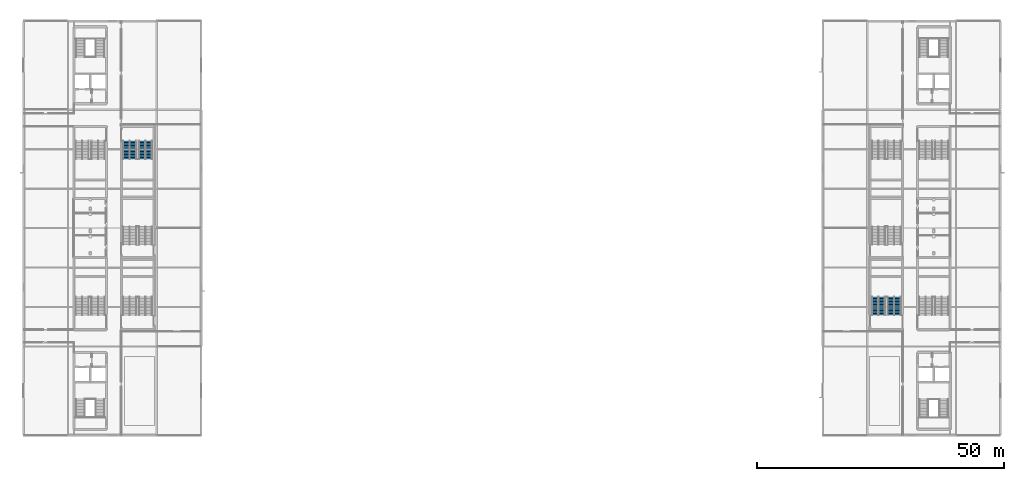
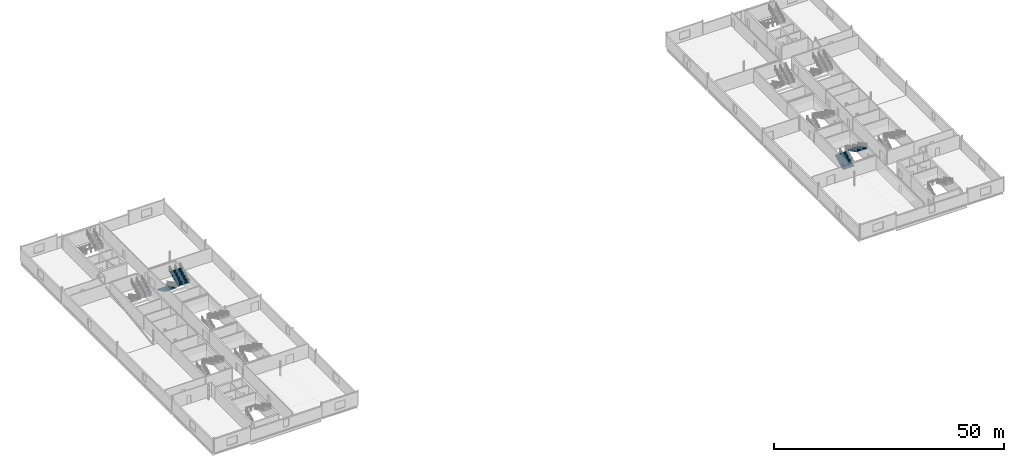
# One storey, part 28 of 35: 4 stair flights, 2 elements without a shape of their own.
"""IFC4 building model written with IfcOpenShell, lengths in metres."""

from ifc_helpers import new_model, si_unit, direction, frame, origin, place, context, subcontext, project, spatial, polygons, material, type_object, element, aggregate, save


model = new_model("IFC4")

# Units and contexts
model_context = context("Model", 3, precision=1e-05, world=origin(), true_north=direction((0.0, 1.0)))
body_context = subcontext(model_context, "Body", "Model", "MODEL_VIEW")
ifc_project = project(units=[si_unit("LENGTHUNIT", "METRE"), si_unit("AREAUNIT", "SQUARE_METRE"), si_unit("VOLUMEUNIT", "CUBIC_METRE"), si_unit("PLANEANGLEUNIT", "RADIAN"), si_unit("MASSUNIT", "GRAM", prefix="KILO")], contexts=[model_context])

# Site, building, storey
site_placement = place(None, origin())
site = spatial("IfcSite", under=ifc_project, at=site_placement, CompositionType="ELEMENT")
building_placement = place(site_placement, origin())
building = spatial("IfcBuilding", under=site, at=building_placement, Name="Kisiwana Market Hall", CompositionType="ELEMENT")
storey_placement = place(building_placement, frame((0.0, 0.0, 57.89990234375)))
storey = spatial("IfcBuildingStorey", under=building, at=storey_placement, Name="L13", CompositionType="ELEMENT", Elevation=57.89990234375)

# Stair, stair flights
ifc_material_1 = material(Name="Concrete C32/40", Category="concrete")
stair_type = type_object("IfcStairType", Name="ST-ESC-3900", PredefinedType="TWO_STRAIGHT_RUN_STAIR", material=ifc_material_1)
stair_1_placement = place(storey_placement, origin())
stair_1 = element("IfcStair", 1, at=stair_1_placement, inside=storey, type_object=stair_type, Name="Escape stair ST-E7-L13", PredefinedType="TWO_STRAIGHT_RUN_STAIR")
ifc_material_2 = material(Name="Concrete C32/40", Category="concrete")
stair_flight_type = type_object("IfcStairFlightType", Name="SF-ESC-3900", PredefinedType="STRAIGHT", material=ifc_material_2)
stair_flight_1_placement = place(storey_placement, frame((173.2900390625, 42.360107421875, 0.0), z_axis=(0.0, 0.0, 1.0), x_axis=(0.0, 1.0, 0.0)))
stair_flight_1 = element("IfcStairFlight", 2, at=stair_flight_1_placement, type_object=stair_flight_type, Name="ST-E7-L13 flight 1", NumberOfRisers=13, NumberOfTreads=12, PredefinedType="STRAIGHT", RiserHeight=0.15, TreadLength=0.305, context=body_context, shape_type="Tessellation", body=[
    polygons([(0.0, -1.380127, 0.0), (0.0, -0.690125, 0.0), (0.0, -0.000122, 0.0), (0.0, 0.68988, 0.0), (0.0, 1.379883, 0.0), (0.0, -1.380127, 0.149902), (0.0, -0.690125, 0.149902), (0.0, -0.000122, 0.149902), (0.0, 0.68988, 0.149902), (0.0, 1.379883, 0.149902), (0.304932, -1.380127, 0.149902), (0.304932, -0.690125, 0.149902), (0.304932, -0.000122, 0.149902), (0.304932, 0.68988, 0.149902), (0.304932, 1.379883, 0.149902), (0.304932, -1.380127, 0.300049), (0.304932, -0.690125, 0.300049), (0.304932, -0.000122, 0.300049), (0.304932, 0.68988, 0.300049), (0.304932, 1.379883, 0.300049), (0.610107, -1.380127, 0.300049), (0.610107, -0.690125, 0.300049), (0.610107, -0.000122, 0.300049), (0.610107, 0.68988, 0.300049), (0.610107, 1.379883, 0.300049), (0.610107, -1.380127, 0.449951), (0.610107, -0.690125, 0.449951), (0.610107, -0.000122, 0.449951), (0.610107, 0.68988, 0.449951), (0.610107, 1.379883, 0.449951), (0.915039, -1.380127, 0.449951), (0.915039, -0.690125, 0.449951), (0.915039, -0.000122, 0.449951), (0.915039, 0.68988, 0.449951), (0.915039, 1.379883, 0.449951), (0.915039, -1.380127, 0.600098), (0.915039, -0.690125, 0.600098), (0.915039, -0.000122, 0.600098), (0.915039, 0.68988, 0.600098), (0.915039, 1.379883, 0.600098), (1.219971, -1.380127, 0.600098), (1.219971, -0.690125, 0.600098), (1.219971, -0.000122, 0.600098), (1.219971, 0.68988, 0.600098), (1.219971, 1.379883, 0.600098), (1.219971, -1.380127, 0.75), (1.219971, -0.690125, 0.75), (1.219971, -0.000122, 0.75), (1.219971, 0.68988, 0.75), (1.219971, 1.379883, 0.75), (1.524902, -1.380127, 0.75), (1.524902, -0.690125, 0.75), (1.524902, -0.000122, 0.75), (1.524902, 0.68988, 0.75), (1.524902, 1.379883, 0.75), (1.524902, -1.380127, 0.899902), (1.524902, -0.690125, 0.899902), (1.524902, -0.000122, 0.899902), (1.524902, 0.68988, 0.899902), (1.524902, 1.379883, 0.899902), (1.830078, -1.380127, 0.899902), (1.830078, -0.690125, 0.899902), (1.830078, -0.000122, 0.899902), (1.830078, 0.68988, 0.899902), (1.830078, 1.379883, 0.899902), (1.830078, -1.380127, 1.050049), (1.830078, -0.690125, 1.050049), (1.830078, -0.000122, 1.050049), (1.830078, 0.68988, 1.050049), (1.830078, 1.379883, 1.050049), (2.13501, -1.380127, 1.050049), (2.13501, -0.690125, 1.050049), (2.13501, -0.000122, 1.050049), (2.13501, 0.68988, 1.050049), (2.13501, 1.379883, 1.050049), (2.13501, -1.380127, 1.199951), (2.13501, -0.690125, 1.199951), (2.13501, -0.000122, 1.199951), (2.13501, 0.68988, 1.199951), (2.13501, 1.379883, 1.199951), (2.439941, -1.380127, 1.199951), (2.439941, -0.690125, 1.199951), (2.439941, -0.000122, 1.199951), (2.439941, 0.68988, 1.199951), (2.439941, 1.379883, 1.199951), (2.439941, -1.380127, 1.350098), (2.439941, -0.690125, 1.350098), (2.439941, -0.000122, 1.350098), (2.439941, 0.68988, 1.350098), (2.439941, 1.379883, 1.350098), (2.745117, -1.380127, 1.350098), (2.745117, -0.690125, 1.350098), (2.745117, -0.000122, 1.350098), (2.745117, 0.68988, 1.350098), (2.745117, 1.379883, 1.350098), (2.745117, -1.380127, 1.5), (2.745117, -0.690125, 1.5), (2.745117, -0.000122, 1.5), (2.745117, 0.68988, 1.5), (2.745117, 1.379883, 1.5), (3.050049, -1.380127, 1.5), (3.050049, -0.690125, 1.5), (3.050049, -0.000122, 1.5), (3.050049, 0.68988, 1.5), (3.050049, 1.379883, 1.5), (3.050049, -1.380127, 1.649902), (3.050049, -0.690125, 1.649902), (3.050049, -0.000122, 1.649902), (3.050049, 0.68988, 1.649902), (3.050049, 1.379883, 1.649902), (3.35498, -1.380127, 1.649902), (3.35498, -0.690125, 1.649902), (3.35498, -0.000122, 1.649902), (3.35498, 0.68988, 1.649902), (3.35498, 1.379883, 1.649902), (3.35498, -1.380127, 1.800049), (3.35498, -0.690125, 1.800049), (3.35498, -0.000122, 1.800049), (3.35498, 0.68988, 1.800049), (3.35498, 1.379883, 1.800049), (3.659912, -1.380127, 1.800049), (3.659912, -0.690125, 1.800049), (3.659912, -0.000122, 1.800049), (3.659912, 0.68988, 1.800049), (3.659912, 1.379883, 1.800049), (3.659912, -1.380127, 1.599365), (3.659912, -0.690125, 1.599365), (3.659912, -0.000122, 1.599365), (3.659912, 0.68988, 1.599365), (3.659912, 1.379883, 1.599365), (0.407715, -1.380127, 0.0), (0.407715, -0.690125, 0.0), (0.407715, -0.000122, 0.0), (0.407715, 0.68988, 0.0), (0.407715, 1.379883, 0.0)], [[[1, 6, 7, 2]], [[2, 7, 8, 3]], [[3, 8, 9, 4]], [[4, 9, 10, 5]], [[6, 11, 12, 7]], [[7, 12, 13, 8]], [[8, 13, 14, 9]], [[9, 14, 15, 10]], [[11, 16, 17, 12]], [[12, 17, 18, 13]], [[13, 18, 19, 14]], [[14, 19, 20, 15]], [[16, 21, 22, 17]], [[17, 22, 23, 18]], [[18, 23, 24, 19]], [[19, 24, 25, 20]], [[21, 26, 27, 22]], [[22, 27, 28, 23]], [[23, 28, 29, 24]], [[24, 29, 30, 25]], [[26, 31, 32, 27]], [[27, 32, 33, 28]], [[28, 33, 34, 29]], [[29, 34, 35, 30]], [[31, 36, 37, 32]], [[32, 37, 38, 33]], [[33, 38, 39, 34]], [[34, 39, 40, 35]], [[36, 41, 42, 37]], [[37, 42, 43, 38]], [[38, 43, 44, 39]], [[39, 44, 45, 40]], [[41, 46, 47, 42]], [[42, 47, 48, 43]], [[43, 48, 49, 44]], [[44, 49, 50, 45]], [[46, 51, 52, 47]], [[47, 52, 53, 48]], [[48, 53, 54, 49]], [[49, 54, 55, 50]], [[51, 56, 57, 52]], [[52, 57, 58, 53]], [[53, 58, 59, 54]], [[54, 59, 60, 55]], [[56, 61, 62, 57]], [[57, 62, 63, 58]], [[58, 63, 64, 59]], [[59, 64, 65, 60]], [[61, 66, 67, 62]], [[62, 67, 68, 63]], [[63, 68, 69, 64]], [[64, 69, 70, 65]], [[66, 71, 72, 67]], [[67, 72, 73, 68]], [[68, 73, 74, 69]], [[69, 74, 75, 70]], [[71, 76, 77, 72]], [[72, 77, 78, 73]], [[73, 78, 79, 74]], [[74, 79, 80, 75]], [[76, 81, 82, 77]], [[77, 82, 83, 78]], [[78, 83, 84, 79]], [[79, 84, 85, 80]], [[81, 86, 87, 82]], [[82, 87, 88, 83]], [[83, 88, 89, 84]], [[84, 89, 90, 85]], [[86, 91, 92, 87]], [[87, 92, 93, 88]], [[88, 93, 94, 89]], [[89, 94, 95, 90]], [[91, 96, 97, 92]], [[92, 97, 98, 93]], [[93, 98, 99, 94]], [[94, 99, 100, 95]], [[96, 101, 102, 97]], [[97, 102, 103, 98]], [[98, 103, 104, 99]], [[99, 104, 105, 100]], [[101, 106, 107, 102]], [[102, 107, 108, 103]], [[103, 108, 109, 104]], [[104, 109, 110, 105]], [[106, 111, 112, 107]], [[107, 112, 113, 108]], [[108, 113, 114, 109]], [[109, 114, 115, 110]], [[111, 116, 117, 112]], [[112, 117, 118, 113]], [[113, 118, 119, 114]], [[114, 119, 120, 115]], [[116, 121, 122, 117]], [[117, 122, 123, 118]], [[118, 123, 124, 119]], [[119, 124, 125, 120]], [[121, 126, 127, 122]], [[122, 127, 128, 123]], [[123, 128, 129, 124]], [[124, 129, 130, 125]], [[126, 131, 132, 127]], [[127, 132, 133, 128]], [[128, 133, 134, 129]], [[129, 134, 135, 130]], [[131, 1, 2, 132]], [[132, 2, 3, 133]], [[133, 3, 4, 134]], [[134, 4, 5, 135]], [[131, 126, 121, 116, 111, 106, 101, 96, 91, 86, 81, 76, 71, 66, 61, 56, 51, 46, 41, 36, 31, 26, 21, 16, 11, 6, 1]], [[5, 10, 15, 20, 25, 30, 35, 40, 45, 50, 55, 60, 65, 70, 75, 80, 85, 90, 95, 100, 105, 110, 115, 120, 125, 130, 135]]], closed=True),
])
stair_flight_2_placement = place(storey_placement, frame((176.510009765625, 46.02001953125, 1.9501953125), z_axis=(0.0, 0.0, 1.0), x_axis=(0.0, -1.0, 0.0)))
stair_flight_2 = element("IfcStairFlight", 3, at=stair_flight_2_placement, type_object=stair_flight_type, Name="ST-E7-L13 flight 2", NumberOfRisers=13, NumberOfTreads=12, PredefinedType="STRAIGHT", RiserHeight=0.15, TreadLength=0.305, context=body_context, shape_type="Tessellation", body=[
    polygons([(0.0, -1.380127, 0.0), (0.0, -0.690125, 0.0), (0.0, -0.000122, 0.0), (0.0, 0.68988, 0.0), (0.0, 1.379883, 0.0), (0.0, -1.380127, 0.149902), (0.0, -0.690125, 0.149902), (0.0, -0.000122, 0.149902), (0.0, 0.68988, 0.149902), (0.0, 1.379883, 0.149902), (0.304932, -1.380127, 0.149902), (0.304932, -0.690125, 0.149902), (0.304932, -0.000122, 0.149902), (0.304932, 0.68988, 0.149902), (0.304932, 1.379883, 0.149902), (0.304932, -1.380127, 0.300049), (0.304932, -0.690125, 0.300049), (0.304932, -0.000122, 0.300049), (0.304932, 0.68988, 0.300049), (0.304932, 1.379883, 0.300049), (0.610107, -1.380127, 0.300049), (0.610107, -0.690125, 0.300049), (0.610107, -0.000122, 0.300049), (0.610107, 0.68988, 0.300049), (0.610107, 1.379883, 0.300049), (0.610107, -1.380127, 0.449951), (0.610107, -0.690125, 0.449951), (0.610107, -0.000122, 0.449951), (0.610107, 0.68988, 0.449951), (0.610107, 1.379883, 0.449951), (0.915039, -1.380127, 0.449951), (0.915039, -0.690125, 0.449951), (0.915039, -0.000122, 0.449951), (0.915039, 0.68988, 0.449951), (0.915039, 1.379883, 0.449951), (0.915039, -1.380127, 0.600098), (0.915039, -0.690125, 0.600098), (0.915039, -0.000122, 0.600098), (0.915039, 0.68988, 0.600098), (0.915039, 1.379883, 0.600098), (1.219971, -1.380127, 0.600098), (1.219971, -0.690125, 0.600098), (1.219971, -0.000122, 0.600098), (1.219971, 0.68988, 0.600098), (1.219971, 1.379883, 0.600098), (1.219971, -1.380127, 0.75), (1.219971, -0.690125, 0.75), (1.219971, -0.000122, 0.75), (1.219971, 0.68988, 0.75), (1.219971, 1.379883, 0.75), (1.524902, -1.380127, 0.75), (1.524902, -0.690125, 0.75), (1.524902, -0.000122, 0.75), (1.524902, 0.68988, 0.75), (1.524902, 1.379883, 0.75), (1.524902, -1.380127, 0.899902), (1.524902, -0.690125, 0.899902), (1.524902, -0.000122, 0.899902), (1.524902, 0.68988, 0.899902), (1.524902, 1.379883, 0.899902), (1.830078, -1.380127, 0.899902), (1.830078, -0.690125, 0.899902), (1.830078, -0.000122, 0.899902), (1.830078, 0.68988, 0.899902), (1.830078, 1.379883, 0.899902), (1.830078, -1.380127, 1.050049), (1.830078, -0.690125, 1.050049), (1.830078, -0.000122, 1.050049), (1.830078, 0.68988, 1.050049), (1.830078, 1.379883, 1.050049), (2.13501, -1.380127, 1.050049), (2.13501, -0.690125, 1.050049), (2.13501, -0.000122, 1.050049), (2.13501, 0.68988, 1.050049), (2.13501, 1.379883, 1.050049), (2.13501, -1.380127, 1.199951), (2.13501, -0.690125, 1.199951), (2.13501, -0.000122, 1.199951), (2.13501, 0.68988, 1.199951), (2.13501, 1.379883, 1.199951), (2.439941, -1.380127, 1.199951), (2.439941, -0.690125, 1.199951), (2.439941, -0.000122, 1.199951), (2.439941, 0.68988, 1.199951), (2.439941, 1.379883, 1.199951), (2.439941, -1.380127, 1.350098), (2.439941, -0.690125, 1.350098), (2.439941, -0.000122, 1.350098), (2.439941, 0.68988, 1.350098), (2.439941, 1.379883, 1.350098), (2.745117, -1.380127, 1.350098), (2.745117, -0.690125, 1.350098), (2.745117, -0.000122, 1.350098), (2.745117, 0.68988, 1.350098), (2.745117, 1.379883, 1.350098), (2.745117, -1.380127, 1.5), (2.745117, -0.690125, 1.5), (2.745117, -0.000122, 1.5), (2.745117, 0.68988, 1.5), (2.745117, 1.379883, 1.5), (3.050049, -1.380127, 1.5), (3.050049, -0.690125, 1.5), (3.050049, -0.000122, 1.5), (3.050049, 0.68988, 1.5), (3.050049, 1.379883, 1.5), (3.050049, -1.380127, 1.649902), (3.050049, -0.690125, 1.649902), (3.050049, -0.000122, 1.649902), (3.050049, 0.68988, 1.649902), (3.050049, 1.379883, 1.649902), (3.35498, -1.380127, 1.649902), (3.35498, -0.690125, 1.649902), (3.35498, -0.000122, 1.649902), (3.35498, 0.68988, 1.649902), (3.35498, 1.379883, 1.649902), (3.35498, -1.380127, 1.800049), (3.35498, -0.690125, 1.800049), (3.35498, -0.000122, 1.800049), (3.35498, 0.68988, 1.800049), (3.35498, 1.379883, 1.800049), (3.659912, -1.380127, 1.800049), (3.659912, -0.690125, 1.800049), (3.659912, -0.000122, 1.800049), (3.659912, 0.68988, 1.800049), (3.659912, 1.379883, 1.800049), (3.659912, -1.380127, 1.599365), (3.659912, -0.690125, 1.599365), (3.659912, -0.000122, 1.599365), (3.659912, 0.68988, 1.599365), (3.659912, 1.379883, 1.599365), (0.407715, -1.380127, 0.0), (0.407715, -0.690125, 0.0), (0.407715, -0.000122, 0.0), (0.407715, 0.68988, 0.0), (0.407715, 1.379883, 0.0)], [[[1, 6, 7, 2]], [[2, 7, 8, 3]], [[3, 8, 9, 4]], [[4, 9, 10, 5]], [[6, 11, 12, 7]], [[7, 12, 13, 8]], [[8, 13, 14, 9]], [[9, 14, 15, 10]], [[11, 16, 17, 12]], [[12, 17, 18, 13]], [[13, 18, 19, 14]], [[14, 19, 20, 15]], [[16, 21, 22, 17]], [[17, 22, 23, 18]], [[18, 23, 24, 19]], [[19, 24, 25, 20]], [[21, 26, 27, 22]], [[22, 27, 28, 23]], [[23, 28, 29, 24]], [[24, 29, 30, 25]], [[26, 31, 32, 27]], [[27, 32, 33, 28]], [[28, 33, 34, 29]], [[29, 34, 35, 30]], [[31, 36, 37, 32]], [[32, 37, 38, 33]], [[33, 38, 39, 34]], [[34, 39, 40, 35]], [[36, 41, 42, 37]], [[37, 42, 43, 38]], [[38, 43, 44, 39]], [[39, 44, 45, 40]], [[41, 46, 47, 42]], [[42, 47, 48, 43]], [[43, 48, 49, 44]], [[44, 49, 50, 45]], [[46, 51, 52, 47]], [[47, 52, 53, 48]], [[48, 53, 54, 49]], [[49, 54, 55, 50]], [[51, 56, 57, 52]], [[52, 57, 58, 53]], [[53, 58, 59, 54]], [[54, 59, 60, 55]], [[56, 61, 62, 57]], [[57, 62, 63, 58]], [[58, 63, 64, 59]], [[59, 64, 65, 60]], [[61, 66, 67, 62]], [[62, 67, 68, 63]], [[63, 68, 69, 64]], [[64, 69, 70, 65]], [[66, 71, 72, 67]], [[67, 72, 73, 68]], [[68, 73, 74, 69]], [[69, 74, 75, 70]], [[71, 76, 77, 72]], [[72, 77, 78, 73]], [[73, 78, 79, 74]], [[74, 79, 80, 75]], [[76, 81, 82, 77]], [[77, 82, 83, 78]], [[78, 83, 84, 79]], [[79, 84, 85, 80]], [[81, 86, 87, 82]], [[82, 87, 88, 83]], [[83, 88, 89, 84]], [[84, 89, 90, 85]], [[86, 91, 92, 87]], [[87, 92, 93, 88]], [[88, 93, 94, 89]], [[89, 94, 95, 90]], [[91, 96, 97, 92]], [[92, 97, 98, 93]], [[93, 98, 99, 94]], [[94, 99, 100, 95]], [[96, 101, 102, 97]], [[97, 102, 103, 98]], [[98, 103, 104, 99]], [[99, 104, 105, 100]], [[101, 106, 107, 102]], [[102, 107, 108, 103]], [[103, 108, 109, 104]], [[104, 109, 110, 105]], [[106, 111, 112, 107]], [[107, 112, 113, 108]], [[108, 113, 114, 109]], [[109, 114, 115, 110]], [[111, 116, 117, 112]], [[112, 117, 118, 113]], [[113, 118, 119, 114]], [[114, 119, 120, 115]], [[116, 121, 122, 117]], [[117, 122, 123, 118]], [[118, 123, 124, 119]], [[119, 124, 125, 120]], [[121, 126, 127, 122]], [[122, 127, 128, 123]], [[123, 128, 129, 124]], [[124, 129, 130, 125]], [[126, 131, 132, 127]], [[127, 132, 133, 128]], [[128, 133, 134, 129]], [[129, 134, 135, 130]], [[131, 1, 2, 132]], [[132, 2, 3, 133]], [[133, 3, 4, 134]], [[134, 4, 5, 135]], [[131, 126, 121, 116, 111, 106, 101, 96, 91, 86, 81, 76, 71, 66, 61, 56, 51, 46, 41, 36, 31, 26, 21, 16, 11, 6, 1]], [[5, 10, 15, 20, 25, 30, 35, 40, 45, 50, 55, 60, 65, 70, 75, 80, 85, 90, 95, 100, 105, 110, 115, 120, 125, 130, 135]]], closed=True),
])
aggregate(stair_1, [stair_flight_1, stair_flight_2])

stair_2_placement = place(storey_placement, origin())
stair_2 = element("IfcStair", 4, at=stair_2_placement, inside=storey, type_object=stair_type, Name="Escape stair ST-W8-L13", PredefinedType="TWO_STRAIGHT_RUN_STAIR")
stair_flight_3_placement = place(storey_placement, frame((21.489990234375, 77.639892578125, 0.0), z_axis=(0.0, 0.0, 1.0), x_axis=(0.0, -1.0, 0.0)))
stair_flight_3 = element("IfcStairFlight", 5, at=stair_flight_3_placement, type_object=stair_flight_type, Name="ST-W8-L13 flight 1", NumberOfRisers=13, NumberOfTreads=12, PredefinedType="STRAIGHT", RiserHeight=0.15, TreadLength=0.305, context=body_context, shape_type="Tessellation", body=[
    polygons([(0.0, -1.380127, 0.0), (0.0, -0.690125, 0.0), (0.0, -0.000122, 0.0), (0.0, 0.68988, 0.0), (0.0, 1.379883, 0.0), (0.0, -1.380127, 0.149902), (0.0, -0.690125, 0.149902), (0.0, -0.000122, 0.149902), (0.0, 0.68988, 0.149902), (0.0, 1.379883, 0.149902), (0.304932, -1.380127, 0.149902), (0.304932, -0.690125, 0.149902), (0.304932, -0.000122, 0.149902), (0.304932, 0.68988, 0.149902), (0.304932, 1.379883, 0.149902), (0.304932, -1.380127, 0.300049), (0.304932, -0.690125, 0.300049), (0.304932, -0.000122, 0.300049), (0.304932, 0.68988, 0.300049), (0.304932, 1.379883, 0.300049), (0.610107, -1.380127, 0.300049), (0.610107, -0.690125, 0.300049), (0.610107, -0.000122, 0.300049), (0.610107, 0.68988, 0.300049), (0.610107, 1.379883, 0.300049), (0.610107, -1.380127, 0.449951), (0.610107, -0.690125, 0.449951), (0.610107, -0.000122, 0.449951), (0.610107, 0.68988, 0.449951), (0.610107, 1.379883, 0.449951), (0.915039, -1.380127, 0.449951), (0.915039, -0.690125, 0.449951), (0.915039, -0.000122, 0.449951), (0.915039, 0.68988, 0.449951), (0.915039, 1.379883, 0.449951), (0.915039, -1.380127, 0.600098), (0.915039, -0.690125, 0.600098), (0.915039, -0.000122, 0.600098), (0.915039, 0.68988, 0.600098), (0.915039, 1.379883, 0.600098), (1.219971, -1.380127, 0.600098), (1.219971, -0.690125, 0.600098), (1.219971, -0.000122, 0.600098), (1.219971, 0.68988, 0.600098), (1.219971, 1.379883, 0.600098), (1.219971, -1.380127, 0.75), (1.219971, -0.690125, 0.75), (1.219971, -0.000122, 0.75), (1.219971, 0.68988, 0.75), (1.219971, 1.379883, 0.75), (1.524902, -1.380127, 0.75), (1.524902, -0.690125, 0.75), (1.524902, -0.000122, 0.75), (1.524902, 0.68988, 0.75), (1.524902, 1.379883, 0.75), (1.524902, -1.380127, 0.899902), (1.524902, -0.690125, 0.899902), (1.524902, -0.000122, 0.899902), (1.524902, 0.68988, 0.899902), (1.524902, 1.379883, 0.899902), (1.830078, -1.380127, 0.899902), (1.830078, -0.690125, 0.899902), (1.830078, -0.000122, 0.899902), (1.830078, 0.68988, 0.899902), (1.830078, 1.379883, 0.899902), (1.830078, -1.380127, 1.050049), (1.830078, -0.690125, 1.050049), (1.830078, -0.000122, 1.050049), (1.830078, 0.68988, 1.050049), (1.830078, 1.379883, 1.050049), (2.13501, -1.380127, 1.050049), (2.13501, -0.690125, 1.050049), (2.13501, -0.000122, 1.050049), (2.13501, 0.68988, 1.050049), (2.13501, 1.379883, 1.050049), (2.13501, -1.380127, 1.199951), (2.13501, -0.690125, 1.199951), (2.13501, -0.000122, 1.199951), (2.13501, 0.68988, 1.199951), (2.13501, 1.379883, 1.199951), (2.439941, -1.380127, 1.199951), (2.439941, -0.690125, 1.199951), (2.439941, -0.000122, 1.199951), (2.439941, 0.68988, 1.199951), (2.439941, 1.379883, 1.199951), (2.439941, -1.380127, 1.350098), (2.439941, -0.690125, 1.350098), (2.439941, -0.000122, 1.350098), (2.439941, 0.68988, 1.350098), (2.439941, 1.379883, 1.350098), (2.745117, -1.380127, 1.350098), (2.745117, -0.690125, 1.350098), (2.745117, -0.000122, 1.350098), (2.745117, 0.68988, 1.350098), (2.745117, 1.379883, 1.350098), (2.745117, -1.380127, 1.5), (2.745117, -0.690125, 1.5), (2.745117, -0.000122, 1.5), (2.745117, 0.68988, 1.5), (2.745117, 1.379883, 1.5), (3.050049, -1.380127, 1.5), (3.050049, -0.690125, 1.5), (3.050049, -0.000122, 1.5), (3.050049, 0.68988, 1.5), (3.050049, 1.379883, 1.5), (3.050049, -1.380127, 1.649902), (3.050049, -0.690125, 1.649902), (3.050049, -0.000122, 1.649902), (3.050049, 0.68988, 1.649902), (3.050049, 1.379883, 1.649902), (3.35498, -1.380127, 1.649902), (3.35498, -0.690125, 1.649902), (3.35498, -0.000122, 1.649902), (3.35498, 0.68988, 1.649902), (3.35498, 1.379883, 1.649902), (3.35498, -1.380127, 1.800049), (3.35498, -0.690125, 1.800049), (3.35498, -0.000122, 1.800049), (3.35498, 0.68988, 1.800049), (3.35498, 1.379883, 1.800049), (3.659912, -1.380127, 1.800049), (3.659912, -0.690125, 1.800049), (3.659912, -0.000122, 1.800049), (3.659912, 0.68988, 1.800049), (3.659912, 1.379883, 1.800049), (3.659912, -1.380127, 1.599365), (3.659912, -0.690125, 1.599365), (3.659912, -0.000122, 1.599365), (3.659912, 0.68988, 1.599365), (3.659912, 1.379883, 1.599365), (0.407715, -1.380127, 0.0), (0.407715, -0.690125, 0.0), (0.407715, -0.000122, 0.0), (0.407715, 0.68988, 0.0), (0.407715, 1.379883, 0.0)], [[[1, 6, 7, 2]], [[2, 7, 8, 3]], [[3, 8, 9, 4]], [[4, 9, 10, 5]], [[6, 11, 12, 7]], [[7, 12, 13, 8]], [[8, 13, 14, 9]], [[9, 14, 15, 10]], [[11, 16, 17, 12]], [[12, 17, 18, 13]], [[13, 18, 19, 14]], [[14, 19, 20, 15]], [[16, 21, 22, 17]], [[17, 22, 23, 18]], [[18, 23, 24, 19]], [[19, 24, 25, 20]], [[21, 26, 27, 22]], [[22, 27, 28, 23]], [[23, 28, 29, 24]], [[24, 29, 30, 25]], [[26, 31, 32, 27]], [[27, 32, 33, 28]], [[28, 33, 34, 29]], [[29, 34, 35, 30]], [[31, 36, 37, 32]], [[32, 37, 38, 33]], [[33, 38, 39, 34]], [[34, 39, 40, 35]], [[36, 41, 42, 37]], [[37, 42, 43, 38]], [[38, 43, 44, 39]], [[39, 44, 45, 40]], [[41, 46, 47, 42]], [[42, 47, 48, 43]], [[43, 48, 49, 44]], [[44, 49, 50, 45]], [[46, 51, 52, 47]], [[47, 52, 53, 48]], [[48, 53, 54, 49]], [[49, 54, 55, 50]], [[51, 56, 57, 52]], [[52, 57, 58, 53]], [[53, 58, 59, 54]], [[54, 59, 60, 55]], [[56, 61, 62, 57]], [[57, 62, 63, 58]], [[58, 63, 64, 59]], [[59, 64, 65, 60]], [[61, 66, 67, 62]], [[62, 67, 68, 63]], [[63, 68, 69, 64]], [[64, 69, 70, 65]], [[66, 71, 72, 67]], [[67, 72, 73, 68]], [[68, 73, 74, 69]], [[69, 74, 75, 70]], [[71, 76, 77, 72]], [[72, 77, 78, 73]], [[73, 78, 79, 74]], [[74, 79, 80, 75]], [[76, 81, 82, 77]], [[77, 82, 83, 78]], [[78, 83, 84, 79]], [[79, 84, 85, 80]], [[81, 86, 87, 82]], [[82, 87, 88, 83]], [[83, 88, 89, 84]], [[84, 89, 90, 85]], [[86, 91, 92, 87]], [[87, 92, 93, 88]], [[88, 93, 94, 89]], [[89, 94, 95, 90]], [[91, 96, 97, 92]], [[92, 97, 98, 93]], [[93, 98, 99, 94]], [[94, 99, 100, 95]], [[96, 101, 102, 97]], [[97, 102, 103, 98]], [[98, 103, 104, 99]], [[99, 104, 105, 100]], [[101, 106, 107, 102]], [[102, 107, 108, 103]], [[103, 108, 109, 104]], [[104, 109, 110, 105]], [[106, 111, 112, 107]], [[107, 112, 113, 108]], [[108, 113, 114, 109]], [[109, 114, 115, 110]], [[111, 116, 117, 112]], [[112, 117, 118, 113]], [[113, 118, 119, 114]], [[114, 119, 120, 115]], [[116, 121, 122, 117]], [[117, 122, 123, 118]], [[118, 123, 124, 119]], [[119, 124, 125, 120]], [[121, 126, 127, 122]], [[122, 127, 128, 123]], [[123, 128, 129, 124]], [[124, 129, 130, 125]], [[126, 131, 132, 127]], [[127, 132, 133, 128]], [[128, 133, 134, 129]], [[129, 134, 135, 130]], [[131, 1, 2, 132]], [[132, 2, 3, 133]], [[133, 3, 4, 134]], [[134, 4, 5, 135]], [[131, 126, 121, 116, 111, 106, 101, 96, 91, 86, 81, 76, 71, 66, 61, 56, 51, 46, 41, 36, 31, 26, 21, 16, 11, 6, 1]], [[5, 10, 15, 20, 25, 30, 35, 40, 45, 50, 55, 60, 65, 70, 75, 80, 85, 90, 95, 100, 105, 110, 115, 120, 125, 130, 135]]], closed=True),
])
stair_flight_4_placement = place(storey_placement, frame((24.7099609375, 73.97998046875, 1.9501953125), z_axis=(0.0, 0.0, 1.0), x_axis=(0.0, 1.0, 0.0)))
stair_flight_4 = element("IfcStairFlight", 6, at=stair_flight_4_placement, type_object=stair_flight_type, Name="ST-W8-L13 flight 2", NumberOfRisers=13, NumberOfTreads=12, PredefinedType="STRAIGHT", RiserHeight=0.15, TreadLength=0.305, context=body_context, shape_type="Tessellation", body=[
    polygons([(0.0, -1.380127, 0.0), (0.0, -0.690125, 0.0), (0.0, -0.000122, 0.0), (0.0, 0.68988, 0.0), (0.0, 1.379883, 0.0), (0.0, -1.380127, 0.149902), (0.0, -0.690125, 0.149902), (0.0, -0.000122, 0.149902), (0.0, 0.68988, 0.149902), (0.0, 1.379883, 0.149902), (0.304932, -1.380127, 0.149902), (0.304932, -0.690125, 0.149902), (0.304932, -0.000122, 0.149902), (0.304932, 0.68988, 0.149902), (0.304932, 1.379883, 0.149902), (0.304932, -1.380127, 0.300049), (0.304932, -0.690125, 0.300049), (0.304932, -0.000122, 0.300049), (0.304932, 0.68988, 0.300049), (0.304932, 1.379883, 0.300049), (0.610107, -1.380127, 0.300049), (0.610107, -0.690125, 0.300049), (0.610107, -0.000122, 0.300049), (0.610107, 0.68988, 0.300049), (0.610107, 1.379883, 0.300049), (0.610107, -1.380127, 0.449951), (0.610107, -0.690125, 0.449951), (0.610107, -0.000122, 0.449951), (0.610107, 0.68988, 0.449951), (0.610107, 1.379883, 0.449951), (0.915039, -1.380127, 0.449951), (0.915039, -0.690125, 0.449951), (0.915039, -0.000122, 0.449951), (0.915039, 0.68988, 0.449951), (0.915039, 1.379883, 0.449951), (0.915039, -1.380127, 0.600098), (0.915039, -0.690125, 0.600098), (0.915039, -0.000122, 0.600098), (0.915039, 0.68988, 0.600098), (0.915039, 1.379883, 0.600098), (1.219971, -1.380127, 0.600098), (1.219971, -0.690125, 0.600098), (1.219971, -0.000122, 0.600098), (1.219971, 0.68988, 0.600098), (1.219971, 1.379883, 0.600098), (1.219971, -1.380127, 0.75), (1.219971, -0.690125, 0.75), (1.219971, -0.000122, 0.75), (1.219971, 0.68988, 0.75), (1.219971, 1.379883, 0.75), (1.524902, -1.380127, 0.75), (1.524902, -0.690125, 0.75), (1.524902, -0.000122, 0.75), (1.524902, 0.68988, 0.75), (1.524902, 1.379883, 0.75), (1.524902, -1.380127, 0.899902), (1.524902, -0.690125, 0.899902), (1.524902, -0.000122, 0.899902), (1.524902, 0.68988, 0.899902), (1.524902, 1.379883, 0.899902), (1.830078, -1.380127, 0.899902), (1.830078, -0.690125, 0.899902), (1.830078, -0.000122, 0.899902), (1.830078, 0.68988, 0.899902), (1.830078, 1.379883, 0.899902), (1.830078, -1.380127, 1.050049), (1.830078, -0.690125, 1.050049), (1.830078, -0.000122, 1.050049), (1.830078, 0.68988, 1.050049), (1.830078, 1.379883, 1.050049), (2.13501, -1.380127, 1.050049), (2.13501, -0.690125, 1.050049), (2.13501, -0.000122, 1.050049), (2.13501, 0.68988, 1.050049), (2.13501, 1.379883, 1.050049), (2.13501, -1.380127, 1.199951), (2.13501, -0.690125, 1.199951), (2.13501, -0.000122, 1.199951), (2.13501, 0.68988, 1.199951), (2.13501, 1.379883, 1.199951), (2.439941, -1.380127, 1.199951), (2.439941, -0.690125, 1.199951), (2.439941, -0.000122, 1.199951), (2.439941, 0.68988, 1.199951), (2.439941, 1.379883, 1.199951), (2.439941, -1.380127, 1.350098), (2.439941, -0.690125, 1.350098), (2.439941, -0.000122, 1.350098), (2.439941, 0.68988, 1.350098), (2.439941, 1.379883, 1.350098), (2.745117, -1.380127, 1.350098), (2.745117, -0.690125, 1.350098), (2.745117, -0.000122, 1.350098), (2.745117, 0.68988, 1.350098), (2.745117, 1.379883, 1.350098), (2.745117, -1.380127, 1.5), (2.745117, -0.690125, 1.5), (2.745117, -0.000122, 1.5), (2.745117, 0.68988, 1.5), (2.745117, 1.379883, 1.5), (3.050049, -1.380127, 1.5), (3.050049, -0.690125, 1.5), (3.050049, -0.000122, 1.5), (3.050049, 0.68988, 1.5), (3.050049, 1.379883, 1.5), (3.050049, -1.380127, 1.649902), (3.050049, -0.690125, 1.649902), (3.050049, -0.000122, 1.649902), (3.050049, 0.68988, 1.649902), (3.050049, 1.379883, 1.649902), (3.35498, -1.380127, 1.649902), (3.35498, -0.690125, 1.649902), (3.35498, -0.000122, 1.649902), (3.35498, 0.68988, 1.649902), (3.35498, 1.379883, 1.649902), (3.35498, -1.380127, 1.800049), (3.35498, -0.690125, 1.800049), (3.35498, -0.000122, 1.800049), (3.35498, 0.68988, 1.800049), (3.35498, 1.379883, 1.800049), (3.659912, -1.380127, 1.800049), (3.659912, -0.690125, 1.800049), (3.659912, -0.000122, 1.800049), (3.659912, 0.68988, 1.800049), (3.659912, 1.379883, 1.800049), (3.659912, -1.380127, 1.599365), (3.659912, -0.690125, 1.599365), (3.659912, -0.000122, 1.599365), (3.659912, 0.68988, 1.599365), (3.659912, 1.379883, 1.599365), (0.407715, -1.380127, 0.0), (0.407715, -0.690125, 0.0), (0.407715, -0.000122, 0.0), (0.407715, 0.68988, 0.0), (0.407715, 1.379883, 0.0)], [[[1, 6, 7, 2]], [[2, 7, 8, 3]], [[3, 8, 9, 4]], [[4, 9, 10, 5]], [[6, 11, 12, 7]], [[7, 12, 13, 8]], [[8, 13, 14, 9]], [[9, 14, 15, 10]], [[11, 16, 17, 12]], [[12, 17, 18, 13]], [[13, 18, 19, 14]], [[14, 19, 20, 15]], [[16, 21, 22, 17]], [[17, 22, 23, 18]], [[18, 23, 24, 19]], [[19, 24, 25, 20]], [[21, 26, 27, 22]], [[22, 27, 28, 23]], [[23, 28, 29, 24]], [[24, 29, 30, 25]], [[26, 31, 32, 27]], [[27, 32, 33, 28]], [[28, 33, 34, 29]], [[29, 34, 35, 30]], [[31, 36, 37, 32]], [[32, 37, 38, 33]], [[33, 38, 39, 34]], [[34, 39, 40, 35]], [[36, 41, 42, 37]], [[37, 42, 43, 38]], [[38, 43, 44, 39]], [[39, 44, 45, 40]], [[41, 46, 47, 42]], [[42, 47, 48, 43]], [[43, 48, 49, 44]], [[44, 49, 50, 45]], [[46, 51, 52, 47]], [[47, 52, 53, 48]], [[48, 53, 54, 49]], [[49, 54, 55, 50]], [[51, 56, 57, 52]], [[52, 57, 58, 53]], [[53, 58, 59, 54]], [[54, 59, 60, 55]], [[56, 61, 62, 57]], [[57, 62, 63, 58]], [[58, 63, 64, 59]], [[59, 64, 65, 60]], [[61, 66, 67, 62]], [[62, 67, 68, 63]], [[63, 68, 69, 64]], [[64, 69, 70, 65]], [[66, 71, 72, 67]], [[67, 72, 73, 68]], [[68, 73, 74, 69]], [[69, 74, 75, 70]], [[71, 76, 77, 72]], [[72, 77, 78, 73]], [[73, 78, 79, 74]], [[74, 79, 80, 75]], [[76, 81, 82, 77]], [[77, 82, 83, 78]], [[78, 83, 84, 79]], [[79, 84, 85, 80]], [[81, 86, 87, 82]], [[82, 87, 88, 83]], [[83, 88, 89, 84]], [[84, 89, 90, 85]], [[86, 91, 92, 87]], [[87, 92, 93, 88]], [[88, 93, 94, 89]], [[89, 94, 95, 90]], [[91, 96, 97, 92]], [[92, 97, 98, 93]], [[93, 98, 99, 94]], [[94, 99, 100, 95]], [[96, 101, 102, 97]], [[97, 102, 103, 98]], [[98, 103, 104, 99]], [[99, 104, 105, 100]], [[101, 106, 107, 102]], [[102, 107, 108, 103]], [[103, 108, 109, 104]], [[104, 109, 110, 105]], [[106, 111, 112, 107]], [[107, 112, 113, 108]], [[108, 113, 114, 109]], [[109, 114, 115, 110]], [[111, 116, 117, 112]], [[112, 117, 118, 113]], [[113, 118, 119, 114]], [[114, 119, 120, 115]], [[116, 121, 122, 117]], [[117, 122, 123, 118]], [[118, 123, 124, 119]], [[119, 124, 125, 120]], [[121, 126, 127, 122]], [[122, 127, 128, 123]], [[123, 128, 129, 124]], [[124, 129, 130, 125]], [[126, 131, 132, 127]], [[127, 132, 133, 128]], [[128, 133, 134, 129]], [[129, 134, 135, 130]], [[131, 1, 2, 132]], [[132, 2, 3, 133]], [[133, 3, 4, 134]], [[134, 4, 5, 135]], [[131, 126, 121, 116, 111, 106, 101, 96, 91, 86, 81, 76, 71, 66, 61, 56, 51, 46, 41, 36, 31, 26, 21, 16, 11, 6, 1]], [[5, 10, 15, 20, 25, 30, 35, 40, 45, 50, 55, 60, 65, 70, 75, 80, 85, 90, 95, 100, 105, 110, 115, 120, 125, 130, 135]]], closed=True),
])
aggregate(stair_2, [stair_flight_3, stair_flight_4])

save(model, "model.ifc")
